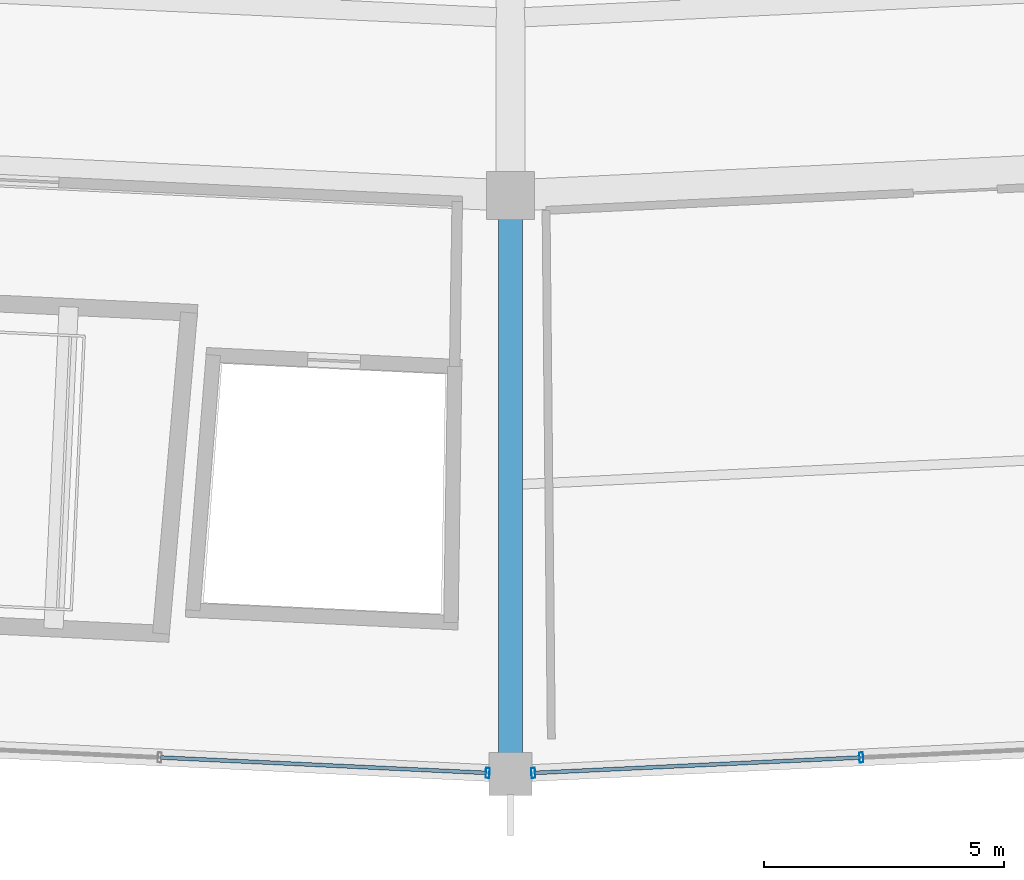
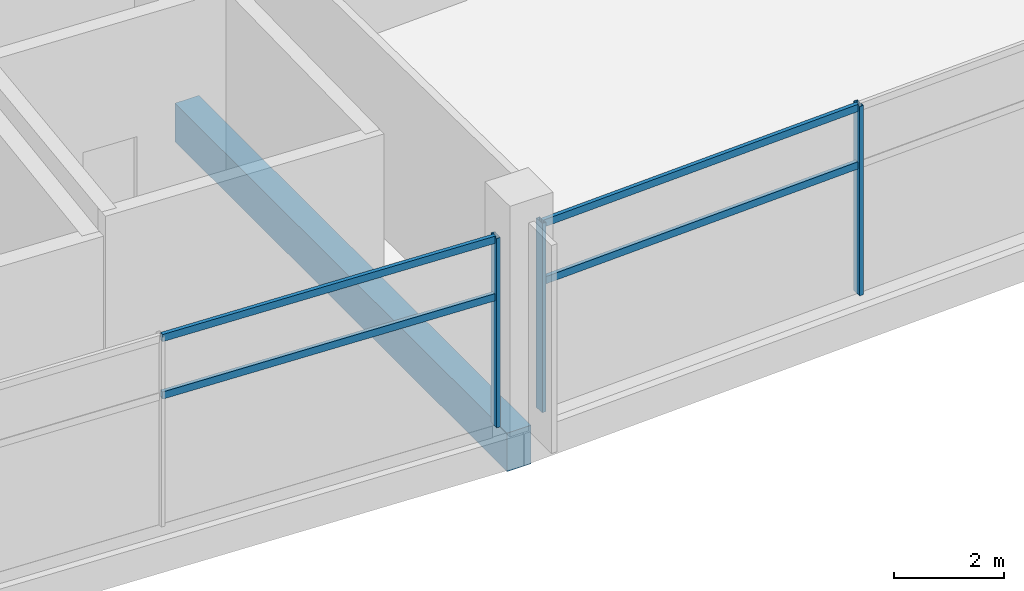
# One storey, part 27 of 184: 7 members, 1 beam, 2 elements without a shape of their own.
"""IFC4 building model written with IfcOpenShell, lengths in metres."""

from ifc_helpers import new_model, si_unit, direction, frame, origin, origin_2d, place, context, subcontext, project, spatial, rectangle, hollow_rectangle, extrude, material, layer, layer_set, material_profile, profile_set, type_object, element, aggregate, save


model = new_model("IFC4")

# Units and contexts
model_context = context("Model", 3, precision=1e-05, world=origin(), true_north=direction((0.0, 1.0)))
body_context = subcontext(model_context, "Body", "Model", "MODEL_VIEW")
ifc_project = project(units=[si_unit("LENGTHUNIT", "METRE"), si_unit("AREAUNIT", "SQUARE_METRE"), si_unit("VOLUMEUNIT", "CUBIC_METRE"), si_unit("PLANEANGLEUNIT", "RADIAN"), si_unit("MASSUNIT", "GRAM", prefix="KILO")], contexts=[model_context])

# Site, building, storey
site_placement = place(None, origin())
site = spatial("IfcSite", under=ifc_project, at=site_placement, CompositionType="ELEMENT")
building_placement = place(site_placement, origin())
building = spatial("IfcBuilding", under=site, at=building_placement, Name="Kazemori Nagisa Stadium", CompositionType="ELEMENT")
storey_placement = place(building_placement, frame((0.0, 0.0, 10.5400390625)))
storey = spatial("IfcBuildingStorey", under=building, at=storey_placement, Name="L02", CompositionType="ELEMENT", Elevation=10.5400390625)

# Beam
ifc_material_1 = material(Name="Concrete C40/50 (Fc42)", Category="concrete")
ifc_material_profile_1 = material_profile(ifc_material_1, rectangle(XDim=0.5, YDim=0.85009765625, at=origin_2d()), Name="RC-BM-500x850")
ifc_profile_set_1 = profile_set([ifc_material_profile_1], Name="Concrete C40/50 (Fc42)")
beam_type = type_object("IfcBeamType", Name="Beam_BG-RC500X850", PredefinedType="BEAM", material=ifc_profile_set_1)
beam_placement = place(storey_placement, frame((123.0, 28.0400390625, -0.68505859375), z_axis=(0.0, -1.0, 0.0), x_axis=(1.0, 0.0, 0.0)))
element("IfcBeam", 1, at=beam_placement, inside=storey, type_object=beam_type, Name="Radial girder BG-RC500X850 L02 R2-R3-22", PredefinedType="BEAM", context=body_context, shape_type="SweptSolid", body=[
    extrude(rectangle(XDim=0.5, YDim=0.85009765625, at=origin_2d()), origin(), (0.0, 0.0, 1.0), 12.0400390625),
])

# Curtain wall, member
ifc_material_2 = material(Name="Anodised aluminium 6063-T5", Category="aluminium")
ifc_layer = layer(ifc_material_2, 0.2099609375, Name="Anodised aluminium 6063-T5", Category="aluminium")
ifc_layer_set = layer_set([ifc_layer], Name="Anodised aluminium 6063-T5")
curtain_wall_type = type_object("IfcCurtainWallType", Name="CW_L02R3_103", PredefinedType="USERDEFINED", material=ifc_layer_set)
curtain_wall_1_placement = place(storey_placement, origin())
curtain_wall_1 = element("IfcCurtainWall", 2, at=curtain_wall_1_placement, inside=storey, type_object=curtain_wall_type, Name="Unitised curtain wall CW-L02R3-103 L02", ObjectType="UNITISED CURTAIN WALL", PredefinedType="USERDEFINED")
ifc_material_3 = material(Name="Aluminium 6063-T5 anodised", Category="aluminium")
ifc_material_profile_2 = material_profile(ifc_material_3, hollow_rectangle(XDim=0.080078125, YDim=0.2099609375, WallThickness=0.0048828125, at=origin_2d()), Name="ALU-MULL-80x210x5")
ifc_profile_set_2 = profile_set([ifc_material_profile_2], Name="Aluminium 6063-T5 anodised")
member_type_1 = type_object("IfcMemberType", Name="Mullion_M02", PredefinedType="MULLION", material=ifc_profile_set_2)
member_1_placement = place(storey_placement, frame((122.525634765625, 16.0224609375, 0.0), z_axis=(0.0, 0.0, 1.0), x_axis=(0.998884022476, -0.047230388971, 0.0)))
member_1 = element("IfcMember", 3, at=member_1_placement, type_object=member_type_1, Name="Curtain wall mullion CW-L02R3-103-M4", PredefinedType="MULLION", context=body_context, shape_type="SweptSolid", body=[
    extrude(hollow_rectangle(XDim=0.080078125, YDim=0.2099609375, WallThickness=0.0048828125, at=origin_2d()), origin(), (0.0, 0.0, 1.0), 4.18994140625),
])

# Curtain wall, members
curtain_wall_2_placement = place(storey_placement, origin())
curtain_wall_2 = element("IfcCurtainWall", 4, at=curtain_wall_2_placement, inside=storey, type_object=curtain_wall_type, Name="Unitised curtain wall CW-L02R3-103 L02", ObjectType="UNITISED CURTAIN WALL", PredefinedType="USERDEFINED")
member_2_placement = place(storey_placement, frame((123.474365234375, 16.0224609375, 0.0), z_axis=(0.0, 0.0, 1.0), x_axis=(0.998884022476, 0.047230388971, 0.0)))
member_2 = element("IfcMember", 5, at=member_2_placement, type_object=member_type_1, Name="Curtain wall mullion CW-L02R3-103-M1", PredefinedType="MULLION", context=body_context, shape_type="SweptSolid", body=[
    extrude(hollow_rectangle(XDim=0.080078125, YDim=0.2099609375, WallThickness=0.0048828125, at=origin_2d()), origin(), (0.0, 0.0, 1.0), 4.18994140625),
])
member_3_placement = place(storey_placement, frame((130.30078125, 16.34521484375, 0.0), z_axis=(0.0, 0.0, 1.0), x_axis=(0.998884022476, 0.047230388971, 0.0)))
member_3 = element("IfcMember", 6, at=member_3_placement, type_object=member_type_1, Name="Curtain wall mullion CW-L02R3-103-M2", PredefinedType="MULLION", context=body_context, shape_type="SweptSolid", body=[
    extrude(hollow_rectangle(XDim=0.080078125, YDim=0.2099609375, WallThickness=0.0048828125, at=origin_2d()), origin(), (0.0, 0.0, 1.0), 4.18994140625),
])

# Member
ifc_material_profile_3 = material_profile(ifc_material_3, hollow_rectangle(XDim=0.080078125, YDim=0.159912109375, WallThickness=0.00390625, at=origin_2d()), Name="ALU-TRAN-80x160x4")
ifc_profile_set_3 = profile_set([ifc_material_profile_3], Name="Aluminium 6063-T5 anodised")
member_type_2 = type_object("IfcMemberType", Name="Transom_T02", PredefinedType="USERDEFINED", material=ifc_profile_set_3)
member_4_placement = place(storey_placement, frame((115.71923828125, 16.34423828125, 2.84912109375), z_axis=(0.998884581669, -0.047218561007, 0.0), x_axis=(0.047218561007, 0.998884581669, 0.0)))
member_4 = element("IfcMember", 7, at=member_4_placement, type_object=member_type_2, Name="Curtain wall transom CW-L02R3-103-T3-mid", ObjectType="TRANSOM", PredefinedType="USERDEFINED", context=body_context, shape_type="SweptSolid", body=[
    extrude(hollow_rectangle(XDim=0.080078125, YDim=0.159912109375, WallThickness=0.00390625, at=origin_2d()), origin(), (0.0, 0.0, 1.0), 6.7939453125),
])

member_5_placement = place(storey_placement, frame((115.71923828125, 16.34423828125, 4.119873046875), z_axis=(0.998884581669, -0.047218561007, 0.0), x_axis=(0.047218561007, 0.998884581669, 0.0)))
member_5 = element("IfcMember", 8, at=member_5_placement, type_object=member_type_2, Name="Curtain wall transom CW-L02R3-103-T3-head", ObjectType="TRANSOM", PredefinedType="USERDEFINED", context=body_context, shape_type="SweptSolid", body=[
    extrude(hollow_rectangle(XDim=0.080078125, YDim=0.159912109375, WallThickness=0.00390625, at=origin_2d()), origin(), (0.0, 0.0, 1.0), 6.7939453125),
])

aggregate(curtain_wall_1, [member_1, member_4, member_5])

member_6_placement = place(storey_placement, frame((123.494384765625, 16.0234375, 2.84912109375), z_axis=(0.998884581669, 0.047218561007, 0.0), x_axis=(-0.047218561007, 0.998884581669, 0.0)))
member_6 = element("IfcMember", 9, at=member_6_placement, type_object=member_type_2, Name="Curtain wall transom CW-L02R3-103-T1-mid", ObjectType="TRANSOM", PredefinedType="USERDEFINED", context=body_context, shape_type="SweptSolid", body=[
    extrude(hollow_rectangle(XDim=0.080078125, YDim=0.159912109375, WallThickness=0.00390625, at=origin_2d()), origin(), (0.0, 0.0, 1.0), 6.7939453125),
])

member_7_placement = place(storey_placement, frame((123.494384765625, 16.0234375, 4.119873046875), z_axis=(0.998884581669, 0.047218561007, 0.0), x_axis=(-0.047218561007, 0.998884581669, 0.0)))
member_7 = element("IfcMember", 10, at=member_7_placement, type_object=member_type_2, Name="Curtain wall transom CW-L02R3-103-T1-head", ObjectType="TRANSOM", PredefinedType="USERDEFINED", context=body_context, shape_type="SweptSolid", body=[
    extrude(hollow_rectangle(XDim=0.080078125, YDim=0.159912109375, WallThickness=0.00390625, at=origin_2d()), origin(), (0.0, 0.0, 1.0), 6.7939453125),
])

aggregate(curtain_wall_2, [member_2, member_3, member_6, member_7])

save(model, "model.ifc")
